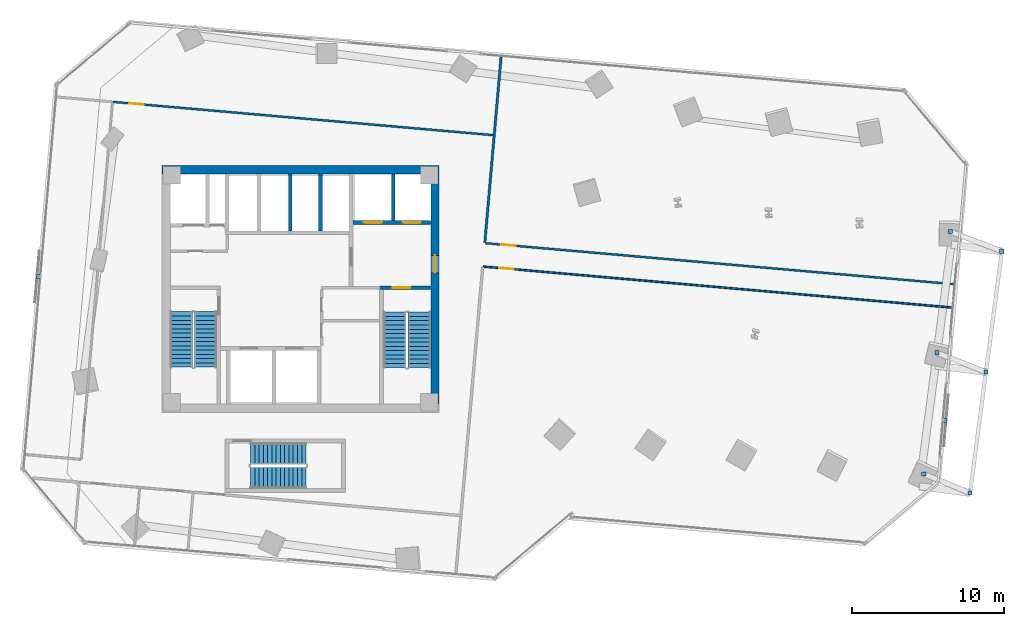
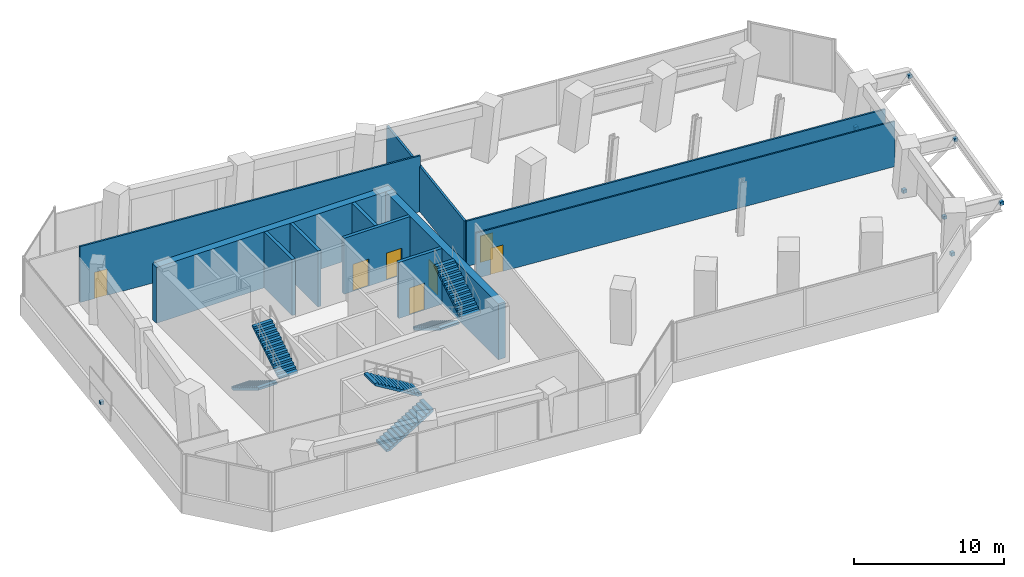
# One storey, part 20 of 23: 11 walls, 8 discrete accessories, 7 doors, 6 stair flights, 7 openings, 3 elements without a shape of their own.
"""IFC4 building model written with IfcOpenShell, lengths in metres."""

from ifc_helpers import new_model, si_unit, direction, frame, frame_2d, origin, origin_2d, place, context, subcontext, project, spatial, polyline, rectangle, outline, extrude, source, transform, mapped, material, layer, layer_set, type_object, element, fill, aggregate, save


model = new_model("IFC4")

# Units and contexts
model_context = context("Model", 3, precision=1e-05, world=origin(), true_north=direction((0.0, 1.0)))
body_context = subcontext(model_context, "Body", "Model", "MODEL_VIEW")
ifc_project = project(units=[si_unit("LENGTHUNIT", "METRE"), si_unit("AREAUNIT", "SQUARE_METRE"), si_unit("VOLUMEUNIT", "CUBIC_METRE"), si_unit("PLANEANGLEUNIT", "RADIAN"), si_unit("MASSUNIT", "GRAM", prefix="KILO")], contexts=[model_context])

# Site, building, storey
site_placement = place(None, origin())
site = spatial("IfcSite", under=ifc_project, at=site_placement, CompositionType="ELEMENT")
building_placement = place(site_placement, origin())
building = spatial("IfcBuilding", under=site, at=building_placement, Name="Torre Montelarca", CompositionType="ELEMENT")
storey_placement = place(building_placement, frame((0.0, 0.0, 56.800048828125)))
storey = spatial("IfcBuildingStorey", under=building, at=storey_placement, Name="L12", CompositionType="ELEMENT", Elevation=56.800048828125)

# Wall, opening, door
ifc_material_1 = material(Name="Concrete C40/50", Category="concrete")
ifc_layer_1 = layer(ifc_material_1, 0.25, Name="Concrete C40/50", Category="concrete")
ifc_layer_set_1 = layer_set([ifc_layer_1], Name="Concrete C40/50")
wall_type_1 = type_object("IfcWallType", Name="CW-SHAFT-250", PredefinedType="SHEAR", material=ifc_layer_set_1)
wall_1_placement = place(storey_placement, frame((23.18994140625, 32.074951171875, 0.0), z_axis=(0.0, 0.0, 1.0), x_axis=(1.0, 0.0, 0.0)))
wall_1 = element("IfcWall", 1, at=wall_1_placement, inside=storey, type_object=wall_type_1, Name="L12 Core Shear Wall SH-ST2-N", PredefinedType="SHEAR", context=body_context, shape_type="SweptSolid", body=[
    extrude(rectangle(XDim=3.35009765625, YDim=0.25, at=frame_2d((1.675048828125, 0.0))), origin(), (0.0, 0.0, 1.0), 4.56005859375),
])
opening_1_placement = place(wall_1_placement, frame((0.85009765625, 0.0, 0.0)))
opening_1 = element("IfcOpeningElement", 2, at=opening_1_placement, cuts=wall_1, Name="Opening FD-ST1", PredefinedType="OPENING", context=body_context, shape_type="SweptSolid", body=[
    extrude(rectangle(XDim=1.14990234375, YDim=2.199951171875, at=frame_2d((0.574951171875, 1.10009765625))), frame((0.0, 0.135009765625, 0.0), z_axis=(0.0, -1.0, 0.0), x_axis=(1.0, 0.0, 0.0)), (0.0, 0.0, 1.0), 0.27001953125),
])
ifc_material_2 = material(Name="Galvanized steel fire door", Category="steel")
door_type_1 = type_object("IfcDoorType", Name="DR-STAIR-115", OperationType="NOTDEFINED", PredefinedType="DOOR", material=ifc_material_2)
shared_shape_1 = source(origin(), body_context, "Body", "SweptSolid", [
    extrude(rectangle(XDim=1.14990234375, YDim=2.199951171875, at=frame_2d((0.574951171875, 1.10009765625))), frame((0.0, 0.02490234375, 0.0), z_axis=(0.0, -1.0, 0.0), x_axis=(1.0, 0.0, 0.0)), (0.0, 0.0, 1.0), 0.050048828125),
])
door_1_placement = place(opening_1_placement, origin())
door_1 = element("IfcDoor", 3, at=door_1_placement, inside=storey, type_object=door_type_1, Name="L12 Exit Stair ST2 Fire Door", OperationType="SINGLE_SWING_RIGHT", OverallHeight=2.199951171875, OverallWidth=1.14990234375, PredefinedType="DOOR", context=body_context, shape_type="MappedRepresentation", body=[
    mapped(shared_shape_1, transform((0.0, 0.0, 0.0), scale=1.0)),
])
fill(opening_1, door_1)

# Wall, openings, doors
wall_2_placement = place(storey_placement, frame((21.449951171875, 36.35009765625, 0.0), z_axis=(0.0, 0.0, 1.0), x_axis=(1.0, 0.0, 0.0)))
wall_2 = element("IfcWall", 4, at=wall_2_placement, inside=storey, type_object=wall_type_1, Name="L12 Core Shear Wall SH-FF-S", PredefinedType="SHEAR", context=body_context, shape_type="SweptSolid", body=[
    extrude(rectangle(XDim=5.090087890625, YDim=0.25, at=frame_2d((2.544921875, 0.0))), origin(), (0.0, 0.0, 1.0), 4.56005859375),
])
opening_2_placement = place(wall_2_placement, frame((0.699951171875, 0.0, 0.0)))
opening_2 = element("IfcOpeningElement", 5, at=opening_2_placement, cuts=wall_2, Name="Opening LD-120", PredefinedType="OPENING", context=body_context, shape_type="SweptSolid", body=[
    extrude(rectangle(XDim=1.199951171875, YDim=2.199951171875, at=frame_2d((0.60009765625, 1.10009765625))), frame((0.0, 0.135009765625, 0.0), z_axis=(0.0, -1.0, 0.0), x_axis=(1.0, 0.0, 0.0)), (0.0, 0.0, 1.0), 0.27001953125),
])
opening_3_placement = place(wall_2_placement, frame((3.25, 0.0, 0.0)))
opening_3 = element("IfcOpeningElement", 6, at=opening_3_placement, cuts=wall_2, Name="Opening LD-120", PredefinedType="OPENING", context=body_context, shape_type="SweptSolid", body=[
    extrude(rectangle(XDim=1.199951171875, YDim=2.199951171875, at=frame_2d((0.60009765625, 1.10009765625))), frame((0.0, 0.135009765625, 0.0), z_axis=(0.0, -1.0, 0.0), x_axis=(1.0, 0.0, 0.0)), (0.0, 0.0, 1.0), 0.27001953125),
])
ifc_material_3 = material(Name="Brushed stainless steel AISI 316", Category="steel")
door_type_2 = type_object("IfcDoorType", Name="DR-LIFT-120", OperationType="SLIDING_TO_RIGHT", PredefinedType="DOOR", material=ifc_material_3)
shared_shape_2 = source(origin(), body_context, "Body", "SweptSolid", [
    extrude(rectangle(XDim=1.199951171875, YDim=2.199951171875, at=frame_2d((0.60009765625, 1.10009765625))), frame((0.0, 0.02490234375, 0.0), z_axis=(0.0, -1.0, 0.0), x_axis=(1.0, 0.0, 0.0)), (0.0, 0.0, 1.0), 0.050048828125),
])
door_2_placement = place(opening_2_placement, origin())
door_2 = element("IfcDoor", 7, at=door_2_placement, inside=storey, type_object=door_type_2, Name="L12 Lift Landing Sliding Door FF-1", OperationType="SLIDING_TO_LEFT", OverallHeight=2.199951171875, OverallWidth=1.199951171875, PredefinedType="DOOR", context=body_context, shape_type="MappedRepresentation", body=[
    mapped(shared_shape_2, transform((0.0, 0.0, 0.0), scale=1.0)),
])
fill(opening_2, door_2)
door_3_placement = place(opening_3_placement, origin())
door_3 = element("IfcDoor", 8, at=door_3_placement, inside=storey, type_object=door_type_2, Name="L12 Lift Landing Sliding Door FF-2", OperationType="SLIDING_TO_RIGHT", OverallHeight=2.199951171875, OverallWidth=1.199951171875, PredefinedType="DOOR", context=body_context, shape_type="MappedRepresentation", body=[
    mapped(shared_shape_2, transform((0.0, 0.0, 0.0), scale=1.0)),
])
fill(opening_3, door_3)

# Walls
wall_3_placement = place(storey_placement, frame((24.080078125, 36.47998046875, 0.0), z_axis=(0.0, 0.0, 1.0), x_axis=(0.0, 1.0, 0.0)))
element("IfcWall", 9, at=wall_3_placement, inside=storey, type_object=wall_type_1, Name="L12 Core Shear Wall SH-FF-M", PredefinedType="SHEAR", context=body_context, shape_type="SweptSolid", body=[
    extrude(rectangle(XDim=3.06005859375, YDim=0.25, at=frame_2d((1.530029296875, 0.0))), origin(), (0.0, 0.0, 1.0), 4.56005859375),
])
for number, where, z_axis, x_axis, name in (
    (10, (17.320068359375, 35.81005859375, 0.0), (0.0, 0.0, 1.0), (0.0, 1.0, 0.0), "L12 Core Shear Wall SH-PLH-W"),
    (11, (19.320068359375, 35.81005859375, 0.0), (0.0, 0.0, 1.0), (0.0, 1.0, 0.0), "L12 Core Shear Wall SH-PLH-M"),
):
    element("IfcWall", number, at=place(storey_placement, frame(where, z_axis=z_axis, x_axis=x_axis)), inside=storey, type_object=wall_type_1, Name=name, PredefinedType="SHEAR", context=body_context, shape_type="SweptSolid", body=[
        extrude(rectangle(XDim=3.72998046875, YDim=0.25, at=frame_2d((1.864990234375, 0.0))), origin(), (0.0, 0.0, 1.0), 4.56005859375),
    ])

# Wall, opening, door
ifc_material_4 = material(Name="Concrete C70/85", Category="concrete")
ifc_layer_2 = layer(ifc_material_4, 0.550048828125, Name="Concrete C70/85", Category="concrete")
ifc_layer_set_2 = layer_set([ifc_layer_2], Name="Concrete C70/85")
wall_type_2 = type_object("IfcWallType", Name="CW-SHEAR-550", PredefinedType="SHEAR", material=ifc_layer_set_2)
wall_4_placement = place(storey_placement, frame((26.824951171875, 24.449951171875, 0.0), z_axis=(0.0, 0.0, 1.0), x_axis=(0.0, 1.0, 0.0)))
wall_4 = element("IfcWall", 12, at=wall_4_placement, inside=storey, type_object=wall_type_2, Name="L12 Core Shear Wall CW-E", PredefinedType="SHEAR", context=body_context, shape_type="SweptSolid", body=[
    extrude(rectangle(XDim=15.10009765625, YDim=0.550048828125, at=frame_2d((7.550048828125, 0.0))), origin(), (0.0, 0.0, 1.0), 4.56005859375),
])
opening_4_placement = place(wall_4_placement, frame((8.60009765625, 0.0, 0.0)))
opening_4 = element("IfcOpeningElement", 13, at=opening_4_placement, cuts=wall_4, Name="Opening FD-LB1", PredefinedType="OPENING", context=body_context, shape_type="SweptSolid", body=[
    extrude(rectangle(XDim=1.14990234375, YDim=2.199951171875, at=frame_2d((0.574951171875, 1.10009765625))), frame((0.0, 0.28515625, 0.0), z_axis=(0.0, -1.0, 0.0), x_axis=(1.0, 0.0, 0.0)), (0.0, 0.0, 1.0), 0.570068359375),
])
ifc_material_5 = material(Name="Acoustic timber-veneered fire door", Category="wood")
door_type_3 = type_object("IfcDoorType", Name="DR-LOBBY-115", OperationType="NOTDEFINED", PredefinedType="DOOR", material=ifc_material_5)
shared_shape_3 = source(origin(), body_context, "Body", "SweptSolid", [
    extrude(rectangle(XDim=1.14990234375, YDim=2.199951171875, at=frame_2d((0.574951171875, 1.10009765625))), frame((0.0, 0.02490234375, 0.0), z_axis=(0.0, -1.0, 0.0), x_axis=(1.0, 0.0, 0.0)), (0.0, 0.0, 1.0), 0.050048828125),
])
door_4_placement = place(opening_4_placement, origin())
door_4 = element("IfcDoor", 14, at=door_4_placement, inside=storey, type_object=door_type_3, Name="L12 Firefighting Lift Lobby Corridor Fire Door", OperationType="SINGLE_SWING_RIGHT", OverallHeight=2.199951171875, OverallWidth=1.14990234375, PredefinedType="DOOR", context=body_context, shape_type="MappedRepresentation", body=[
    mapped(shared_shape_3, transform((0.0, 0.0, 0.0), scale=1.0)),
])
fill(opening_4, door_4)

# Walls
wall_5_placement = place(storey_placement, frame((8.89990234375, 39.824951171875, 0.0), z_axis=(0.0, 0.0, 1.0), x_axis=(1.0, 0.0, 0.0)))
element("IfcWall", 15, at=wall_5_placement, inside=storey, type_object=wall_type_2, Name="L12 Core Shear Wall CW-N1", PredefinedType="SHEAR", context=body_context, shape_type="SweptSolid", body=[
    extrude(rectangle(XDim=18.2001953125, YDim=0.550048828125, at=frame_2d((9.10009765625, 0.0))), origin(), (0.0, 0.0, 1.0), 4.56005859375),
])
ifc_material_6 = material(Name="Gypsum plasterboard on steel stud", Category="steel")
ifc_layer_3 = layer(ifc_material_6, 0.159912109375, Name="Gypsum plasterboard on steel stud", Category="steel")
ifc_layer_set_3 = layer_set([ifc_layer_3], Name="Gypsum plasterboard on steel stud")
wall_type_3 = type_object("IfcWallType", Name="PW-FIRE-160", PredefinedType="PARTITIONING", material=ifc_layer_set_3)
wall_6_placement = place(storey_placement, frame((30.097900390625, 35.042236328125, 0.0), z_axis=(0.0, 0.0, 1.0), x_axis=(0.087145176091, 0.996195622498, 0.0)))
element("IfcWall", 16, at=wall_6_placement, inside=storey, type_object=wall_type_3, Name="L12 Interior Partition W-L12-ECN", PredefinedType="PARTITIONING", context=body_context, shape_type="SweptSolid", body=[
    extrude(rectangle(XDim=12.239990234375, YDim=0.159912109375, at=frame_2d((6.1201171875, 0.0))), origin(), (0.0, 0.0, 1.0), 3.695068359375),
])

# Wall, opening, door
ifc_layer_4 = layer(ifc_material_6, 0.114990234375, Name="Gypsum plasterboard on steel stud", Category="steel")
ifc_layer_set_4 = layer_set([ifc_layer_4], Name="Gypsum plasterboard on steel stud")
wall_type_4 = type_object("IfcWallType", Name="PW-PART-115", PredefinedType="PARTITIONING", material=ifc_layer_set_4)
wall_7_placement = place(storey_placement, frame((30.0, 33.464599609375, 0.0), z_axis=(0.0, 0.0, 1.0), x_axis=(0.996195270611, -0.087149198574, 0.0)))
wall_7 = element("IfcWall", 17, at=wall_7_placement, inside=storey, type_object=wall_type_4, Name="L12 Interior Partition W-L12-SE-N", PredefinedType="PARTITIONING", context=body_context, shape_type="SweptSolid", body=[
    extrude(rectangle(XDim=30.8798828125, YDim=0.114990234375, at=frame_2d((15.43994140625, 0.0))), origin(), (0.0, 0.0, 1.0), 3.695068359375),
])
opening_5_placement = place(wall_7_placement, frame((1.050048828125, 0.0, 0.0)))
opening_5 = element("IfcOpeningElement", 18, at=opening_5_placement, cuts=wall_7, Name="Opening ID-095", PredefinedType="OPENING", context=body_context, shape_type="SweptSolid", body=[
    extrude(rectangle(XDim=0.949951171875, YDim=2.14990234375, at=frame_2d((0.47509765625, 1.074951171875))), frame((0.0, 0.0673828125, 0.0), z_axis=(0.0, -1.0, 0.0), x_axis=(1.0, 0.0, 0.0)), (0.0, 0.0, 1.0), 0.135009765625),
])
ifc_material_7 = material(Name="Hardwood acoustic timber veneer", Category="wood")
door_type_4 = type_object("IfcDoorType", Name="DR-INT-095", OperationType="NOTDEFINED", PredefinedType="DOOR", material=ifc_material_7)
shared_shape_4 = source(origin(), body_context, "Body", "SweptSolid", [
    extrude(rectangle(XDim=0.949951171875, YDim=2.14990234375, at=frame_2d((0.47509765625, 1.074951171875))), frame((0.0, 0.02490234375, 0.0), z_axis=(0.0, -1.0, 0.0), x_axis=(1.0, 0.0, 0.0)), (0.0, 0.0, 1.0), 0.050048828125),
])
door_5_placement = place(opening_5_placement, origin())
door_5 = element("IfcDoor", 19, at=door_5_placement, inside=storey, type_object=door_type_4, Name="L12 Interior Door 10", OperationType="SINGLE_SWING_LEFT", OverallHeight=2.14990234375, OverallWidth=0.949951171875, PredefinedType="DOOR", context=body_context, shape_type="MappedRepresentation", body=[
    mapped(shared_shape_4, transform((0.0, 0.0, 0.0), scale=1.0)),
])
fill(opening_5, door_5)

ifc_layer_5 = layer(ifc_material_6, 0.135009765625, Name="Gypsum plasterboard on steel stud", Category="steel")
ifc_layer_set_5 = layer_set([ifc_layer_5], Name="Gypsum plasterboard on steel stud")
wall_type_5 = type_object("IfcWallType", Name="PW-PART-135", PredefinedType="PARTITIONING", material=ifc_layer_set_5)
wall_8_placement = place(storey_placement, frame((5.69970703125, 44.273681640625, 0.0), z_axis=(0.0, 0.0, 1.0), x_axis=(0.996195324028, -0.087148587968, 0.0)))
wall_8 = element("IfcWall", 20, at=wall_8_placement, inside=storey, type_object=wall_type_5, Name="L12 Interior Partition W-L12-NBOT", PredefinedType="PARTITIONING", context=body_context, shape_type="SweptSolid", body=[
    extrude(rectangle(XDim=25.070068359375, YDim=0.135009765625, at=frame_2d((12.53515625, 0.0))), origin(), (0.0, 0.0, 1.0), 4.56005859375),
])
opening_6_placement = place(wall_8_placement, frame((1.050048828125, 0.0, 0.0)))
opening_6 = element("IfcOpeningElement", 21, at=opening_6_placement, cuts=wall_8, Name="Opening ID-095", PredefinedType="OPENING", context=body_context, shape_type="SweptSolid", body=[
    extrude(rectangle(XDim=0.949951171875, YDim=2.14990234375, at=frame_2d((0.47509765625, 1.074951171875))), frame((0.0, 0.07763671875, 0.0), z_axis=(0.0, -1.0, 0.0), x_axis=(1.0, 0.0, 0.0)), (0.0, 0.0, 1.0), 0.155029296875),
])
door_6_placement = place(opening_6_placement, origin())
door_6 = element("IfcDoor", 22, at=door_6_placement, inside=storey, type_object=door_type_4, Name="L12 Interior Door 07", OperationType="SINGLE_SWING_LEFT", OverallHeight=2.14990234375, OverallWidth=0.949951171875, PredefinedType="DOOR", context=body_context, shape_type="MappedRepresentation", body=[
    mapped(shared_shape_4, transform((0.0, 0.0, 0.0), scale=1.0)),
])
fill(opening_6, door_6)

wall_9_placement = place(storey_placement, frame((30.13427734375, 34.998779296875, 0.0), z_axis=(0.0, 0.0, 1.0), x_axis=(0.996195270611, -0.087149198574, 0.0)))
wall_9 = element("IfcWall", 23, at=wall_9_placement, inside=storey, type_object=wall_type_5, Name="L12 Interior Partition W-L12-NE-S", PredefinedType="PARTITIONING", context=body_context, shape_type="SweptSolid", body=[
    extrude(rectangle(XDim=30.8798828125, YDim=0.135009765625, at=frame_2d((15.43994140625, 0.0))), origin(), (0.0, 0.0, 1.0), 3.695068359375),
])
opening_7_placement = place(wall_9_placement, frame((1.050048828125, 0.0, 0.0)))
opening_7 = element("IfcOpeningElement", 24, at=opening_7_placement, cuts=wall_9, Name="Opening ID-095", PredefinedType="OPENING", context=body_context, shape_type="SweptSolid", body=[
    extrude(rectangle(XDim=0.949951171875, YDim=2.14990234375, at=frame_2d((0.47509765625, 1.074951171875))), frame((0.0, 0.07763671875, 0.0), z_axis=(0.0, -1.0, 0.0), x_axis=(1.0, 0.0, 0.0)), (0.0, 0.0, 1.0), 0.155029296875),
])
door_7_placement = place(opening_7_placement, origin())
door_7 = element("IfcDoor", 25, at=door_7_placement, inside=storey, type_object=door_type_4, Name="L12 Interior Door 09", OperationType="SINGLE_SWING_LEFT", OverallHeight=2.14990234375, OverallWidth=0.949951171875, PredefinedType="DOOR", context=body_context, shape_type="MappedRepresentation", body=[
    mapped(shared_shape_4, transform((0.0, 0.0, 0.0), scale=1.0)),
])
fill(opening_7, door_7)

# Stair, stair flights
stair_type_1 = type_object("IfcStairType", Name="ST-CORE-ST1", PredefinedType="HALF_TURN_STAIR", material=ifc_material_1)
stair_1_placement = place(storey_placement, origin())
stair_1 = element("IfcStair", 26, at=stair_1_placement, inside=storey, type_object=stair_type_1, Name="L12 Protected Exit Stair ST1", PredefinedType="HALF_TURN_STAIR")
stair_flight_type_1 = type_object("IfcStairFlightType", Name="SFL-CORE-ST1", PredefinedType="STRAIGHT", material=ifc_material_1)
stair_flight_1_placement = place(storey_placement, frame((10.175048828125, 30.5, 0.0), z_axis=(0.0, 0.0, 1.0), x_axis=(0.0, -1.0, 0.0)))
stair_flight_1 = element("IfcStairFlight", 27, at=stair_flight_1_placement, type_object=stair_flight_type_1, Name="ST1 flight 1", NumberOfRisers=14, NumberOfTreads=13, PredefinedType="STRAIGHT", RiserHeight=0.171428571, TreadLength=0.28, context=body_context, shape_type="SweptSolid", body=[
    extrude(outline(polyline([(0.0, 0.0), (0.0, 0.17138671875), (0.280029296875, 0.17138671875), (0.280029296875, 0.3427734375), (0.56005859375, 0.3427734375), (0.56005859375, 0.514404296875), (0.840087890625, 0.514404296875), (0.840087890625, 0.685791015625), (1.1201171875, 0.685791015625), (1.1201171875, 0.857177734375), (1.39990234375, 0.857177734375), (1.39990234375, 1.028564453125), (1.679931640625, 1.028564453125), (1.679931640625, 1.199951171875), (1.9599609375, 1.199951171875), (1.9599609375, 1.371337890625), (2.239990234375, 1.371337890625), (2.239990234375, 1.54296875), (2.52001953125, 1.54296875), (2.52001953125, 1.71435546875), (2.800048828125, 1.71435546875), (2.800048828125, 1.8857421875), (3.080078125, 1.8857421875), (3.080078125, 2.05712890625), (3.360107421875, 2.05712890625), (3.360107421875, 2.228515625), (3.639892578125, 2.228515625), (3.639892578125, 2.39990234375), (3.639892578125, 2.052734375), (0.287109375, 0.0), (0.0, 0.0)])), frame((0.0, 0.72509765625, 0.0), z_axis=(0.0, -1.0, 0.0), x_axis=(1.0, 0.0, 0.0)), (0.0, 0.0, 1.0), 1.449951171875),
])
stair_flight_2_placement = place(storey_placement, frame((11.77490234375, 26.860107421875, 2.39990234375), z_axis=(0.0, 0.0, 1.0), x_axis=(0.0, 1.0, 0.0)))
stair_flight_2 = element("IfcStairFlight", 28, at=stair_flight_2_placement, type_object=stair_flight_type_1, Name="ST1 flight 2", NumberOfRisers=14, NumberOfTreads=13, PredefinedType="STRAIGHT", RiserHeight=0.171428571, TreadLength=0.28, context=body_context, shape_type="SweptSolid", body=[
    extrude(outline(polyline([(0.0, 0.0), (0.0, 0.17138671875), (0.280029296875, 0.17138671875), (0.280029296875, 0.3427734375), (0.56005859375, 0.3427734375), (0.56005859375, 0.514404296875), (0.840087890625, 0.514404296875), (0.840087890625, 0.685791015625), (1.1201171875, 0.685791015625), (1.1201171875, 0.857177734375), (1.39990234375, 0.857177734375), (1.39990234375, 1.028564453125), (1.679931640625, 1.028564453125), (1.679931640625, 1.199951171875), (1.9599609375, 1.199951171875), (1.9599609375, 1.371337890625), (2.239990234375, 1.371337890625), (2.239990234375, 1.54296875), (2.52001953125, 1.54296875), (2.52001953125, 1.71435546875), (2.800048828125, 1.71435546875), (2.800048828125, 1.8857421875), (3.080078125, 1.8857421875), (3.080078125, 2.05712890625), (3.360107421875, 2.05712890625), (3.360107421875, 2.228515625), (3.639892578125, 2.228515625), (3.639892578125, 2.39990234375), (3.639892578125, 2.052734375), (0.287109375, 0.0), (0.0, 0.0)])), frame((0.0, 0.72509765625, 0.0), z_axis=(0.0, -1.0, 0.0), x_axis=(1.0, 0.0, 0.0)), (0.0, 0.0, 1.0), 1.449951171875),
])
aggregate(stair_1, [stair_flight_1, stair_flight_2])

stair_type_2 = type_object("IfcStairType", Name="ST-CORE-ST2", PredefinedType="HALF_TURN_STAIR", material=ifc_material_1)
stair_2_placement = place(storey_placement, origin())
stair_2 = element("IfcStair", 29, at=stair_2_placement, inside=storey, type_object=stair_type_2, Name="L12 Protected Exit Stair ST2", PredefinedType="HALF_TURN_STAIR")
stair_flight_type_2 = type_object("IfcStairFlightType", Name="SFL-CORE-ST2", PredefinedType="STRAIGHT", material=ifc_material_1)
stair_flight_3_placement = place(storey_placement, frame((24.179931640625, 30.469970703125, 0.0), z_axis=(0.0, 0.0, 1.0), x_axis=(0.0, -1.0, 0.0)))
stair_flight_3 = element("IfcStairFlight", 30, at=stair_flight_3_placement, type_object=stair_flight_type_2, Name="ST2 flight 1", NumberOfRisers=14, NumberOfTreads=13, PredefinedType="STRAIGHT", RiserHeight=0.171428571, TreadLength=0.28, context=body_context, shape_type="SweptSolid", body=[
    extrude(outline(polyline([(0.0, 0.0), (0.0, 0.17138671875), (0.280029296875, 0.17138671875), (0.280029296875, 0.3427734375), (0.56005859375, 0.3427734375), (0.56005859375, 0.514404296875), (0.840087890625, 0.514404296875), (0.840087890625, 0.685791015625), (1.1201171875, 0.685791015625), (1.1201171875, 0.857177734375), (1.39990234375, 0.857177734375), (1.39990234375, 1.028564453125), (1.679931640625, 1.028564453125), (1.679931640625, 1.199951171875), (1.9599609375, 1.199951171875), (1.9599609375, 1.371337890625), (2.239990234375, 1.371337890625), (2.239990234375, 1.54296875), (2.52001953125, 1.54296875), (2.52001953125, 1.71435546875), (2.800048828125, 1.71435546875), (2.800048828125, 1.8857421875), (3.080078125, 1.8857421875), (3.080078125, 2.05712890625), (3.360107421875, 2.05712890625), (3.360107421875, 2.228515625), (3.639892578125, 2.228515625), (3.639892578125, 2.39990234375), (3.639892578125, 2.052734375), (0.287109375, 0.0), (0.0, 0.0)])), frame((0.0, 0.739990234375, 0.0), z_axis=(0.0, -1.0, 0.0), x_axis=(1.0, 0.0, 0.0)), (0.0, 0.0, 1.0), 1.47998046875),
])
stair_flight_4_placement = place(storey_placement, frame((25.81005859375, 26.830078125, 2.39990234375), z_axis=(0.0, 0.0, 1.0), x_axis=(0.0, 1.0, 0.0)))
stair_flight_4 = element("IfcStairFlight", 31, at=stair_flight_4_placement, type_object=stair_flight_type_2, Name="ST2 flight 2", NumberOfRisers=14, NumberOfTreads=13, PredefinedType="STRAIGHT", RiserHeight=0.171428571, TreadLength=0.28, context=body_context, shape_type="SweptSolid", body=[
    extrude(outline(polyline([(0.0, 0.0), (0.0, 0.17138671875), (0.280029296875, 0.17138671875), (0.280029296875, 0.3427734375), (0.56005859375, 0.3427734375), (0.56005859375, 0.514404296875), (0.840087890625, 0.514404296875), (0.840087890625, 0.685791015625), (1.1201171875, 0.685791015625), (1.1201171875, 0.857177734375), (1.39990234375, 0.857177734375), (1.39990234375, 1.028564453125), (1.679931640625, 1.028564453125), (1.679931640625, 1.199951171875), (1.9599609375, 1.199951171875), (1.9599609375, 1.371337890625), (2.239990234375, 1.371337890625), (2.239990234375, 1.54296875), (2.52001953125, 1.54296875), (2.52001953125, 1.71435546875), (2.800048828125, 1.71435546875), (2.800048828125, 1.8857421875), (3.080078125, 1.8857421875), (3.080078125, 2.05712890625), (3.360107421875, 2.05712890625), (3.360107421875, 2.228515625), (3.639892578125, 2.228515625), (3.639892578125, 2.39990234375), (3.639892578125, 2.052734375), (0.287109375, 0.0), (0.0, 0.0)])), frame((0.0, 0.739990234375, 0.0), z_axis=(0.0, -1.0, 0.0), x_axis=(1.0, 0.0, 0.0)), (0.0, 0.0, 1.0), 1.47998046875),
])
aggregate(stair_2, [stair_flight_3, stair_flight_4])

stair_type_3 = type_object("IfcStairType", Name="ST-CORE-ST3", PredefinedType="HALF_TURN_STAIR", material=ifc_material_1)
stair_3_placement = place(storey_placement, origin())
stair_3 = element("IfcStair", 32, at=stair_3_placement, inside=storey, type_object=stair_type_3, Name="L12 Low-Rise Exit Stair ST3", PredefinedType="HALF_TURN_STAIR")
stair_flight_type_3 = type_object("IfcStairFlightType", Name="SFL-CORE-ST3", PredefinedType="STRAIGHT", material=ifc_material_1)
stair_flight_5_placement = place(storey_placement, frame((14.719970703125, 19.610107421875, 0.0), z_axis=(0.0, 0.0, 1.0), x_axis=(1.0, 0.0, 0.0)))
stair_flight_5 = element("IfcStairFlight", 33, at=stair_flight_5_placement, type_object=stair_flight_type_3, Name="ST3 flight 1", NumberOfRisers=14, NumberOfTreads=13, PredefinedType="STRAIGHT", RiserHeight=0.171428571, TreadLength=0.28, context=body_context, shape_type="SweptSolid", body=[
    extrude(outline(polyline([(0.0, 0.0), (0.0, 0.17138671875), (0.280029296875, 0.17138671875), (0.280029296875, 0.3427734375), (0.56005859375, 0.3427734375), (0.56005859375, 0.514404296875), (0.840087890625, 0.514404296875), (0.840087890625, 0.685791015625), (1.1201171875, 0.685791015625), (1.1201171875, 0.857177734375), (1.39990234375, 0.857177734375), (1.39990234375, 1.028564453125), (1.679931640625, 1.028564453125), (1.679931640625, 1.199951171875), (1.9599609375, 1.199951171875), (1.9599609375, 1.371337890625), (2.239990234375, 1.371337890625), (2.239990234375, 1.54296875), (2.52001953125, 1.54296875), (2.52001953125, 1.71435546875), (2.800048828125, 1.71435546875), (2.800048828125, 1.8857421875), (3.080078125, 1.8857421875), (3.080078125, 2.05712890625), (3.360107421875, 2.05712890625), (3.360107421875, 2.228515625), (3.639892578125, 2.228515625), (3.639892578125, 2.39990234375), (3.639892578125, 2.052734375), (0.287109375, 0.0), (0.0, 0.0)])), frame((0.0, 0.7099609375, 0.0), z_axis=(0.0, -1.0, 0.0), x_axis=(1.0, 0.0, 0.0)), (0.0, 0.0, 1.0), 1.419921875),
])
stair_flight_6_placement = place(storey_placement, frame((18.360107421875, 21.179931640625, 2.39990234375), z_axis=(0.0, 0.0, 1.0), x_axis=(-1.0, 0.0, 0.0)))
stair_flight_6 = element("IfcStairFlight", 34, at=stair_flight_6_placement, type_object=stair_flight_type_3, Name="ST3 flight 2", NumberOfRisers=14, NumberOfTreads=13, PredefinedType="STRAIGHT", RiserHeight=0.171428571, TreadLength=0.28, context=body_context, shape_type="SweptSolid", body=[
    extrude(outline(polyline([(0.0, 0.0), (0.0, 0.17138671875), (0.280029296875, 0.17138671875), (0.280029296875, 0.3427734375), (0.56005859375, 0.3427734375), (0.56005859375, 0.514404296875), (0.840087890625, 0.514404296875), (0.840087890625, 0.685791015625), (1.1201171875, 0.685791015625), (1.1201171875, 0.857177734375), (1.39990234375, 0.857177734375), (1.39990234375, 1.028564453125), (1.679931640625, 1.028564453125), (1.679931640625, 1.199951171875), (1.9599609375, 1.199951171875), (1.9599609375, 1.371337890625), (2.239990234375, 1.371337890625), (2.239990234375, 1.54296875), (2.52001953125, 1.54296875), (2.52001953125, 1.71435546875), (2.800048828125, 1.71435546875), (2.800048828125, 1.8857421875), (3.080078125, 1.8857421875), (3.080078125, 2.05712890625), (3.360107421875, 2.05712890625), (3.360107421875, 2.228515625), (3.639892578125, 2.228515625), (3.639892578125, 2.39990234375), (3.639892578125, 2.052734375), (0.287109375, 0.0), (0.0, 0.0)])), frame((0.0, 0.7099609375, 0.0), z_axis=(0.0, -1.0, 0.0), x_axis=(1.0, 0.0, 0.0)), (0.0, 0.0, 1.0), 1.419921875),
])
aggregate(stair_3, [stair_flight_5, stair_flight_6])

# Discrete accessories
ifc_material_8 = material(Name="Stainless steel AISI 316", Category="steel")
discrete_accessory_type = type_object("IfcDiscreteAccessoryType", Name="ACC-BRACKET-SS", PredefinedType="BRACKET", material=ifc_material_8)
shared_shape_5 = source(origin(), body_context, "Body", "SweptSolid", [
    extrude(rectangle(XDim=0.280029296875, YDim=0.280029296875, at=origin_2d()), origin(), (0.0, 0.0, 1.0), 0.280029296875),
])
for number, where, z_axis, x_axis, name in (
    (35, (58.900146484375, 19.856201171875, 0.009765625), (0.0, 0.0, 1.0), (1.0, 0.0, 0.0), "L13 Raker End Connection Bracket E1-FT"),
    (36, (61.94775390625, 18.60595703125, 3.8447265625), (0.0, 0.0, 1.0), (1.0, 0.0, 0.0), "L13 Raker End Connection Bracket E1-HD"),
    (37, (59.771240234375, 27.80859375, 0.009765625), (0.0, 0.0, 1.0), (1.0, 0.0, 0.0), "L13 Raker End Connection Bracket E2-FT"),
    (38, (62.991943359375, 26.53759765625, 3.8447265625), (0.0, 0.0, 1.0), (1.0, 0.0, 0.0), "L13 Raker End Connection Bracket E2-HD"),
    (39, (60.64208984375, 35.760986328125, 0.009765625), (0.0, 0.0, 1.0), (1.0, 0.0, 0.0), "L13 Raker End Connection Bracket E3-FT"),
    (40, (64.0361328125, 34.468994140625, 3.8447265625), (0.0, 0.0, 1.0), (1.0, 0.0, 0.0), "L13 Raker End Connection Bracket E3-HD"),
):
    element("IfcDiscreteAccessory", number, at=place(storey_placement, frame(where, z_axis=z_axis, x_axis=x_axis)), inside=storey, type_object=discrete_accessory_type, Name=name, PredefinedType="BRACKET", context=body_context, shape_type="MappedRepresentation", body=[
        mapped(shared_shape_5, transform((0.0, 0.0, 0.0), scale=1.0)),
    ])
shared_shape_6 = source(origin(), body_context, "Body", "SweptSolid", [
    extrude(rectangle(XDim=0.280029296875, YDim=0.260009765625, at=origin_2d()), origin(), (0.0, 0.0, 1.0), 0.239990234375),
])
for number, where, z_axis, x_axis, name in (
    (41, (60.31494140625, 23.363037109375, 0.39990234375), (0.0, 0.0, 1.0), (0.087157481435, 0.996194545975, 0.0), "L12 Solar Screen Support Bracket E6-1"),
    (42, (0.771728515625, 32.809814453125, 0.39990234375), (0.0, 0.0, 1.0), (-0.087157481435, -0.996194545975, 0.0), "L12 Solar Screen Support Bracket E10-1"),
):
    element("IfcDiscreteAccessory", number, at=place(storey_placement, frame(where, z_axis=z_axis, x_axis=x_axis)), inside=storey, type_object=discrete_accessory_type, Name=name, PredefinedType="BRACKET", context=body_context, shape_type="MappedRepresentation", body=[
        mapped(shared_shape_6, transform((0.0, 0.0, 0.0), scale=1.0)),
    ])

save(model, "model.ifc")
